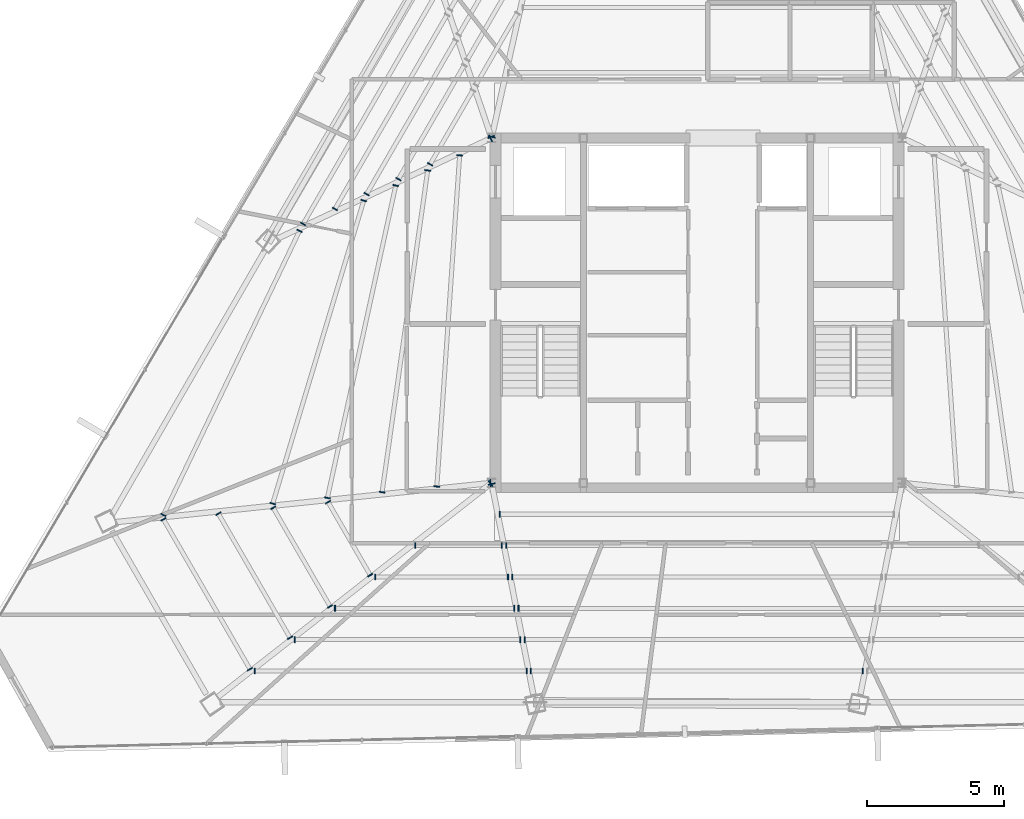
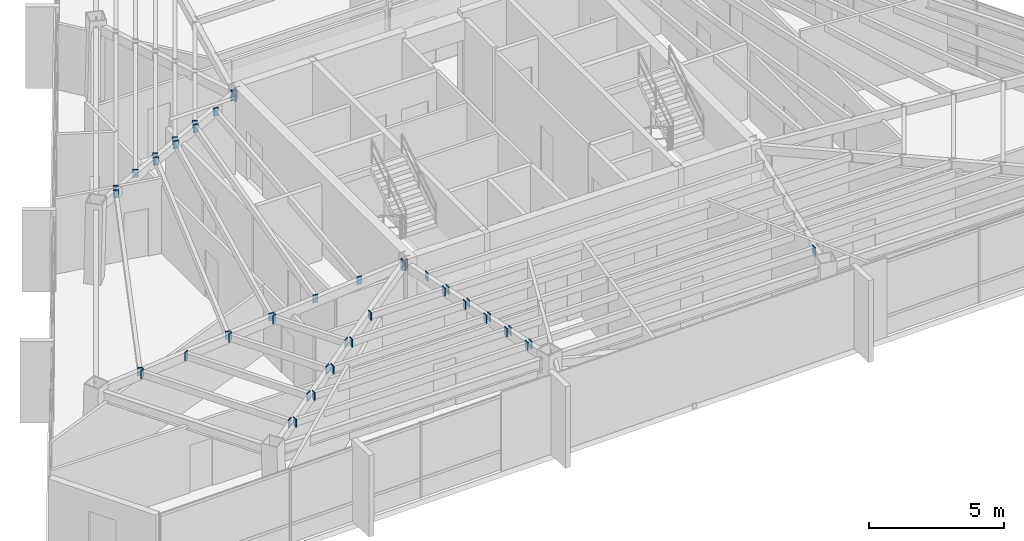
# One storey, part 38 of 47: 46 plates.
"""IFC4 building model written with IfcOpenShell, lengths in metres."""

from ifc_helpers import new_model, si_unit, direction, frame, origin, origin_2d, place, context, subcontext, project, spatial, rectangle, extrude, source, transform, mapped, material, layer, layer_set, type_object, type_shapes, element, save


model = new_model("IFC4")

# Units and contexts
model_context = context("Model", 3, precision=1e-05, world=origin(), true_north=direction((0.0, 1.0)))
body_context = subcontext(model_context, "Body", "Model", "MODEL_VIEW")
ifc_project = project(units=[si_unit("LENGTHUNIT", "METRE"), si_unit("AREAUNIT", "SQUARE_METRE"), si_unit("VOLUMEUNIT", "CUBIC_METRE"), si_unit("PLANEANGLEUNIT", "RADIAN"), si_unit("MASSUNIT", "GRAM", prefix="KILO")], contexts=[model_context])

# Site, building, storey
site_placement = place(None, origin())
site = spatial("IfcSite", under=ifc_project, at=site_placement, CompositionType="ELEMENT")
building_placement = place(site_placement, origin())
building = spatial("IfcBuilding", under=site, at=building_placement, Name="Caelisora Broadcast Tower", CompositionType="ELEMENT")
storey_placement = place(building_placement, frame((0.0, 0.0, 255.39990234375)))
storey = spatial("IfcBuildingStorey", under=building, at=storey_placement, Name="L67", CompositionType="ELEMENT", Elevation=255.39990234375)

# Plates
ifc_material = material(Name="Steel Grade 350 L15 (AS/NZS 3678)", Category="steel")
ifc_layer = layer(ifc_material, 0.0400390625, Name="Steel Grade 350 L15 (AS/NZS 3678)")
ifc_layer_set = layer_set([ifc_layer], Name="Steel Grade 350 L15 (AS/NZS 3678)")
plate_type = type_object("IfcPlateType", Name="GP04", PredefinedType="USERDEFINED", material=ifc_layer_set)
shared_shape_1 = source(origin(), body_context, "Body", "SweptSolid", [
    extrude(rectangle(XDim=0.260009765625, YDim=0.0400390625, at=origin_2d()), origin(), (0.0, 0.0, 1.0), 0.4599609375),
])
for number, where, z_axis, x_axis, name in (
    (1, (30.5087890625, 30.0390625, 2.97021484375), (0.0, 0.0, 1.0), (-0.976068816814, 0.217461869863, 0.0), "L67 gusset plate GP04 (ND-RAD-L67-02)"),
    (2, (30.487060546875, 30.037841796875, 2.97021484375), (0.0, 0.0, 1.0), (-0.946198369695, -0.32358715238, 0.0), "L67 gusset plate GP04 (ND-RAD-L67-03)"),
    (3, (30.4638671875, 29.98291015625, 2.97021484375), (0.0, 0.0, 1.0), (0.425463421407, -0.904975622348, 0.0), "L67 gusset plate GP04 (ND-RAD-L67-04)"),
    (4, (30.460205078125, 17.395751953125, 2.97021484375), (0.0, 0.0, 1.0), (0.103834130589, -0.994594627637, 0.0), "L67 gusset plate GP04 (ND-RAD-L67-05)"),
    (5, (30.468505859375, 17.37548828125, 2.97021484375), (0.0, 0.0, 1.0), (0.616073992379, -0.787688286008, 0.0), "L67 gusset plate GP04 (ND-RAD-L67-06)"),
    (6, (30.5078125, 17.36083984375, 2.97021484375), (0.0, 0.0, 1.0), (0.981022896164, 0.193891921448, 0.0), "L67 gusset plate GP04 (ND-RAD-L67-07)"),
):
    element("IfcPlate", number, at=place(storey_placement, frame(where, z_axis=z_axis, x_axis=x_axis)), inside=storey, type_object=plate_type, Name=name, ObjectType="GUSSET PLATE", PredefinedType="USERDEFINED", context=body_context, shape_type="MappedRepresentation", body=[
        mapped(shared_shape_1, transform((0.0, 0.0, 0.0), scale=1.0)),
    ])
shared_shape_2 = source(origin(), body_context, "Body", "SweptSolid", [
    extrude(rectangle(XDim=0.2099609375, YDim=0.0400390625, at=origin_2d()), origin(), (0.0, 0.0, 1.0), 0.360107421875),
])
type_shapes(plate_type, [shared_shape_1, shared_shape_2])
for number, where, z_axis, x_axis, name in (
    (7, (28.25732421875, 29.04150390625, 3.06982421875), (0.0, 0.0, 1.0), (0.866025403784, -0.5, 0.0), "L67 gusset plate GP04 (ND-SB-L67-012B)"),
    (8, (27.097900390625, 28.496337890625, 3.06982421875), (0.0, 0.0, 1.0), (0.866025403784, -0.5, 0.0), "L67 gusset plate GP04 (ND-SB-L67-013B)"),
    (9, (25.9384765625, 27.951171875, 3.06982421875), (0.0, 0.0, 1.0), (0.866025403784, -0.5, 0.0), "L67 gusset plate GP04 (ND-SB-L67-014B)"),
    (10, (24.779052734375, 27.406005859375, 3.06982421875), (0.0, 0.0, 1.0), (0.866025403784, -0.5, 0.0), "L67 gusset plate GP04 (ND-SB-L67-015B)"),
    (11, (23.61962890625, 26.86083984375, 3.06982421875), (0.0, 0.0, 1.0), (0.866025403784, -0.5, 0.0), "L67 gusset plate GP04 (ND-SB-L67-016B)"),
    (12, (29.334228515625, 29.363525390625, 3.06982421875), (0.0, 0.0, 1.0), (0.997636552079, -0.068711789056, 0.0), "L67 gusset plate GP04 (ND-SB-L67-017A)"),
    (13, (28.500732421875, 17.269287109375, 3.06982421875), (0.0, 0.0, 1.0), (0.997636552079, -0.068711789056, 0.0), "L67 gusset plate GP04 (ND-SB-L67-017B)"),
    (14, (28.167724609375, 28.81396484375, 3.06982421875), (0.0, 0.0, 1.0), (0.990097297715, -0.140382837472, 0.0), "L67 gusset plate GP04 (ND-SB-L67-018A)"),
    (15, (26.501953125, 17.06103515625, 3.06982421875), (0.0, 0.0, 1.0), (0.990097297715, -0.140382837472, 0.0), "L67 gusset plate GP04 (ND-SB-L67-018B)"),
    (16, (26.999755859375, 28.263916015625, 3.06982421875), (0.0, 0.0, 1.0), (0.976896613081, -0.213712440794, 0.0), "L67 gusset plate GP04 (ND-SB-L67-019A)"),
    (17, (24.50390625, 16.85302734375, 3.06982421875), (0.0, 0.0, 1.0), (0.976896613081, -0.213712440794, 0.0), "L67 gusset plate GP04 (ND-SB-L67-019B)"),
    (18, (25.830322265625, 27.712646484375, 3.06982421875), (0.0, 0.0, 1.0), (0.957722128749, -0.28769484546, 0.0), "L67 gusset plate GP04 (ND-SB-L67-020A)"),
    (19, (22.506103515625, 16.645263671875, 3.06982421875), (0.0, 0.0, 1.0), (0.957722128749, -0.28769484546, 0.0), "L67 gusset plate GP04 (ND-SB-L67-020B)"),
    (20, (23.4853515625, 26.607177734375, 3.06982421875), (0.0, 0.0, 1.0), (0.901832526405, -0.432085748802, 0.0), "L67 gusset plate GP04 (ND-SB-L67-021A)"),
    (21, (18.51318359375, 16.23046875, 3.06982421875), (0.0, 0.0, 1.0), (0.901832526405, -0.432085748802, 0.0), "L67 gusset plate GP04 (ND-SB-L67-021B)"),
    (22, (24.529541015625, 16.69775390625, 3.06982421875), (0.0, 0.0, 1.0), (0.866025403784, 0.5, 0.0), "L67 gusset plate GP04 (ND-SB-L67-022A)"),
    (23, (26.068359375, 14.0322265625, 3.06982421875), (0.0, 0.0, 1.0), (0.866025403784, 0.5, 0.0), "L67 gusset plate GP04 (ND-SB-L67-022B)"),
    (24, (22.52490234375, 16.488525390625, 3.06982421875), (0.0, 0.0, 1.0), (0.866025403784, 0.5, 0.0), "L67 gusset plate GP04 (ND-SB-L67-023A)"),
    (25, (24.60400390625, 12.88720703125, 3.06982421875), (0.0, 0.0, 1.0), (0.866025403784, 0.5, 0.0), "L67 gusset plate GP04 (ND-SB-L67-023B)"),
    (26, (20.520263671875, 16.279541015625, 3.06982421875), (0.0, 0.0, 1.0), (0.866025403784, 0.5, 0.0), "L67 gusset plate GP04 (ND-SB-L67-024A)"),
    (27, (23.139892578125, 11.7421875, 3.06982421875), (0.0, 0.0, 1.0), (0.866025403784, 0.5, 0.0), "L67 gusset plate GP04 (ND-SB-L67-024B)"),
    (28, (18.515625, 16.0703125, 3.06982421875), (0.0, 0.0, 1.0), (0.866025403784, 0.5, 0.0), "L67 gusset plate GP04 (ND-SB-L67-025A)"),
    (29, (21.67578125, 10.596923828125, 3.06982421875), (0.0, 0.0, 1.0), (0.866025403784, 0.5, 0.0), "L67 gusset plate GP04 (ND-SB-L67-025B)"),
    (30, (27.7109375, 15.10986328125, 3.06982421875), (0.0, 0.0, 1.0), (0.0, 1.0, 0.0), "L67 gusset plate GP04 (ND-SB-L67-026A)"),
    (31, (30.87353515625, 15.10986328125, 3.06982421875), (0.0, 0.0, 1.0), (0.0, 1.0, 0.0), "L67 gusset plate GP04 (ND-SB-L67-026B)"),
    (32, (26.24658203125, 13.964599609375, 3.06982421875), (0.0, 0.0, 1.0), (0.0, 1.0, 0.0), "L67 gusset plate GP04 (ND-SB-L67-027A)"),
    (33, (31.099609375, 13.964599609375, 3.06982421875), (0.0, 0.0, 1.0), (0.0, 1.0, 0.0), "L67 gusset plate GP04 (ND-SB-L67-027B)"),
    (34, (24.782470703125, 12.819580078125, 3.06982421875), (0.0, 0.0, 1.0), (0.0, 1.0, 0.0), "L67 gusset plate GP04 (ND-SB-L67-028A)"),
    (35, (31.325927734375, 12.819580078125, 3.06982421875), (0.0, 0.0, 1.0), (0.0, 1.0, 0.0), "L67 gusset plate GP04 (ND-SB-L67-028B)"),
    (36, (23.318115234375, 11.674560546875, 3.06982421875), (0.0, 0.0, 1.0), (0.0, 1.0, 0.0), "L67 gusset plate GP04 (ND-SB-L67-029A)"),
    (37, (31.55224609375, 11.674560546875, 3.06982421875), (0.0, 0.0, 1.0), (0.0, 1.0, 0.0), "L67 gusset plate GP04 (ND-SB-L67-029B)"),
    (38, (21.85400390625, 10.529541015625, 3.06982421875), (0.0, 0.0, 1.0), (0.0, 1.0, 0.0), "L67 gusset plate GP04 (ND-SB-L67-030A)"),
    (39, (31.7783203125, 10.529541015625, 3.06982421875), (0.0, 0.0, 1.0), (0.0, 1.0, 0.0), "L67 gusset plate GP04 (ND-SB-L67-030B)"),
    (40, (30.80517578125, 16.2548828125, 3.06982421875), (0.0, 0.0, 1.0), (0.0, 1.0, 0.0), "L67 gusset plate GP04 (ND-SB-L67-031A)"),
    (41, (31.03125, 15.10986328125, 3.06982421875), (0.0, 0.0, 1.0), (0.0, 1.0, 0.0), "L67 gusset plate GP04 (ND-SB-L67-032A)"),
    (42, (31.257568359375, 13.964599609375, 3.06982421875), (0.0, 0.0, 1.0), (0.0, 1.0, 0.0), "L67 gusset plate GP04 (ND-SB-L67-033A)"),
    (43, (31.48388671875, 12.819580078125, 3.06982421875), (0.0, 0.0, 1.0), (0.0, 1.0, 0.0), "L67 gusset plate GP04 (ND-SB-L67-034A)"),
    (44, (31.7099609375, 11.674560546875, 3.06982421875), (0.0, 0.0, 1.0), (0.0, 1.0, 0.0), "L67 gusset plate GP04 (ND-SB-L67-035A)"),
    (45, (31.936279296875, 10.529541015625, 3.06982421875), (0.0, 0.0, 1.0), (0.0, 1.0, 0.0), "L67 gusset plate GP04 (ND-SB-L67-036A)"),
    (46, (44.063720703125, 10.529541015625, 3.06982421875), (0.0, 0.0, 1.0), (0.0, 1.0, 0.0), "L67 gusset plate GP04 (ND-SB-L67-036B)"),
):
    element("IfcPlate", number, at=place(storey_placement, frame(where, z_axis=z_axis, x_axis=x_axis)), inside=storey, type_object=plate_type, Name=name, ObjectType="GUSSET PLATE", PredefinedType="USERDEFINED", context=body_context, shape_type="MappedRepresentation", body=[
        mapped(shared_shape_2, transform((0.0, 0.0, 0.0), scale=1.0)),
    ])

save(model, "model.ifc")
